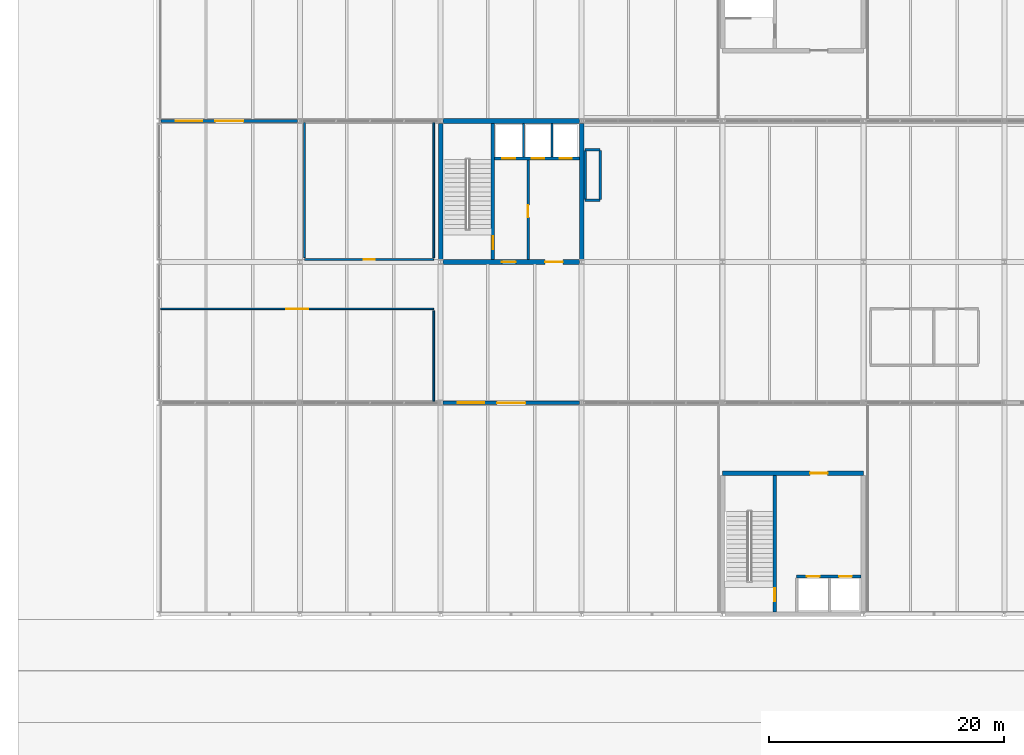
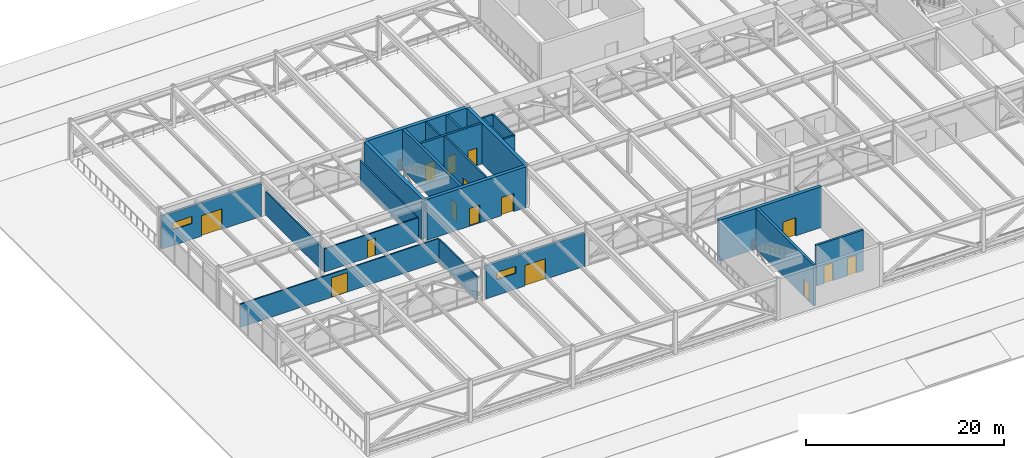
# One storey, part 35 of 42: 23 walls, 15 doors, 2 windows, 17 openings.
"""IFC4 building model written with IfcOpenShell, lengths in metres."""

from ifc_helpers import new_model, si_unit, direction, frame, frame_2d, origin, place, context, subcontext, project, spatial, rectangle, extrude, material, layer, layer_set, type_object, element, fill, save


model = new_model("IFC4")

# Units and contexts
model_context = context("Model", 3, precision=1e-05, world=origin(), true_north=direction((0.0, 1.0)))
body_context = subcontext(model_context, "Body", "Model", "MODEL_VIEW")
ifc_project = project(units=[si_unit("LENGTHUNIT", "METRE"), si_unit("AREAUNIT", "SQUARE_METRE"), si_unit("VOLUMEUNIT", "CUBIC_METRE"), si_unit("PLANEANGLEUNIT", "RADIAN"), si_unit("MASSUNIT", "GRAM", prefix="KILO")], contexts=[model_context])

# Site, building, storey
site_placement = place(None, origin())
site = spatial("IfcSite", under=ifc_project, at=site_placement, CompositionType="ELEMENT")
building_placement = place(site_placement, origin())
building = spatial("IfcBuilding", under=site, at=building_placement, Name="Girod Span Mobility Hub", CompositionType="ELEMENT")
storey_placement = place(building_placement, frame((0.0, 0.0, 32.39990234375)))
storey = spatial("IfcBuildingStorey", under=building, at=storey_placement, Name="L08", CompositionType="ELEMENT", Elevation=32.39990234375)

# Wall, opening, door
ifc_material_1 = material(Name="Concrete C40/50", Category="concrete")
ifc_layer_1 = layer(ifc_material_1, 0.3798828125)
ifc_layer_set_1 = layer_set([ifc_layer_1], Name="Concrete C40/50")
wall_type_1 = type_object("IfcWallType", Name="W-CW-380", PredefinedType="SHEAR", material=ifc_layer_set_1)
wall_1_placement = place(storey_placement, frame((72.0, 39.0, 0.0), z_axis=(0.0, 0.0, 1.0), x_axis=(1.0, 0.0, 0.0)))
wall_1 = element("IfcWall", 1, at=wall_1_placement, inside=storey, type_object=wall_type_1, Name="Core C3 Shear Wall N L08", PredefinedType="SHEAR", context=body_context, shape_type="SweptSolid", body=[
    extrude(rectangle(XDim=12.0, YDim=0.3798828125, at=frame_2d((6.0, 0.0))), origin(), (0.0, 0.0, 1.0), 5.043212890625),
])
opening_1_placement = place(wall_1_placement, frame((7.449951171875, 0.0, 0.0)))
opening_1 = element("IfcOpeningElement", 2, at=opening_1_placement, cuts=wall_1, Name="Opening D-LB-C3-L08", PredefinedType="OPENING", context=body_context, shape_type="SweptSolid", body=[
    extrude(rectangle(XDim=1.5, YDim=2.25, at=frame_2d((0.75, 1.125))), frame((0.0, 0.204833984375, 0.0), z_axis=(0.0, -1.0, 0.0), x_axis=(1.0, 0.0, 0.0)), (0.0, 0.0, 1.0), 0.409912109375),
])
ifc_material_2 = material(Name="Fire-Rated Insulated Hollow Metal Steel", Category="steel")
door_type_1 = type_object("IfcDoorType", Name="DT-FD-03", OperationType="DOUBLE_DOOR_SINGLE_SWING", PredefinedType="DOOR", material=ifc_material_2)
door_1_placement = place(opening_1_placement, origin())
door_1 = element("IfcDoor", 3, at=door_1_placement, inside=storey, type_object=door_type_1, Name="Core C3 Lobby Door L08", OperationType="DOUBLE_DOOR_SINGLE_SWING", OverallHeight=2.25, OverallWidth=1.5, PredefinedType="DOOR", context=body_context, shape_type="SweptSolid", body=[
    extrude(rectangle(XDim=1.5, YDim=2.25, at=frame_2d((0.75, 1.125))), frame((0.0, 0.02490234375, 0.0), z_axis=(0.0, -1.0, 0.0), x_axis=(1.0, 0.0, 0.0)), (0.0, 0.0, 1.0), 0.050048828125),
])
fill(opening_1, door_1)

# Wall, openings, doors
ifc_material_3 = material(Name="Concrete C40/50", Category="concrete")
ifc_layer_2 = layer(ifc_material_3, 0.39990234375)
ifc_layer_set_2 = layer_set([ifc_layer_2], Name="Concrete C40/50")
wall_type_2 = type_object("IfcWallType", Name="W-CW-400", PredefinedType="SHEAR", material=ifc_layer_set_2)
wall_2_placement = place(storey_placement, frame((48.199951171875, 57.0, 0.0), z_axis=(0.0, 0.0, 1.0), x_axis=(1.0, 0.0, 0.0)))
wall_2 = element("IfcWall", 4, at=wall_2_placement, inside=storey, type_object=wall_type_2, Name="Core C1 Shear Wall S L08", PredefinedType="SHEAR", context=body_context, shape_type="SweptSolid", body=[
    extrude(rectangle(XDim=11.60009765625, YDim=0.39990234375, at=frame_2d((5.800048828125, 0.0))), origin(), (0.0, 0.0, 1.0), 5.043212890625),
])
opening_2_placement = place(wall_2_placement, frame((5.0, 0.0, 0.0)))
opening_2 = element("IfcOpeningElement", 5, at=opening_2_placement, cuts=wall_2, Name="Opening D-FL-C1-L08", PredefinedType="OPENING", context=body_context, shape_type="SweptSolid", body=[
    extrude(rectangle(XDim=1.199951171875, YDim=2.199951171875, at=frame_2d((0.60009765625, 1.10009765625))), frame((0.0, 0.21484375, 0.0), z_axis=(0.0, -1.0, 0.0), x_axis=(1.0, 0.0, 0.0)), (0.0, 0.0, 1.0), 0.429931640625),
])
opening_3_placement = place(wall_2_placement, frame((8.699951171875, 0.0, 0.0)))
opening_3 = element("IfcOpeningElement", 6, at=opening_3_placement, cuts=wall_2, Name="Opening D-LB-C1-L08", PredefinedType="OPENING", context=body_context, shape_type="SweptSolid", body=[
    extrude(rectangle(XDim=1.5, YDim=2.25, at=frame_2d((0.75, 1.125))), frame((0.0, 0.21484375, 0.0), z_axis=(0.0, -1.0, 0.0), x_axis=(1.0, 0.0, 0.0)), (0.0, 0.0, 1.0), 0.429931640625),
])
door_2_placement = place(opening_3_placement, origin())
door_2 = element("IfcDoor", 7, at=door_2_placement, inside=storey, type_object=door_type_1, Name="Lift Lobby Entry Door C1 L08", OperationType="DOUBLE_DOOR_SINGLE_SWING", OverallHeight=2.25, OverallWidth=1.5, PredefinedType="DOOR", context=body_context, shape_type="SweptSolid", body=[
    extrude(rectangle(XDim=1.5, YDim=2.25, at=frame_2d((0.75, 1.125))), frame((0.0, 0.02490234375, 0.0), z_axis=(0.0, -1.0, 0.0), x_axis=(1.0, 0.0, 0.0)), (0.0, 0.0, 1.0), 0.050048828125),
])
fill(opening_3, door_2)
ifc_material_4 = material(Name="Fire-Rated Insulated Hollow Metal Steel", Category="steel")
door_type_2 = type_object("IfcDoorType", Name="DT-FD-05", OperationType="NOTDEFINED", PredefinedType="DOOR", material=ifc_material_4)
door_3_placement = place(opening_2_placement, origin())
door_3 = element("IfcDoor", 8, at=door_3_placement, inside=storey, type_object=door_type_2, Name="Firefighting Lobby Entry Door C1 L08", OperationType="SINGLE_SWING_RIGHT", OverallHeight=2.199951171875, OverallWidth=1.199951171875, PredefinedType="DOOR", context=body_context, shape_type="SweptSolid", body=[
    extrude(rectangle(XDim=1.199951171875, YDim=2.199951171875, at=frame_2d((0.60009765625, 1.10009765625))), frame((0.0, 0.02490234375, 0.0), z_axis=(0.0, -1.0, 0.0), x_axis=(1.0, 0.0, 0.0)), (0.0, 0.0, 1.0), 0.050048828125),
])
fill(opening_2, door_3)

# Walls
wall_3_placement = place(storey_placement, frame((48.199951171875, 69.0, 0.0), z_axis=(0.0, 0.0, 1.0), x_axis=(1.0, 0.0, 0.0)))
element("IfcWall", 9, at=wall_3_placement, inside=storey, type_object=wall_type_2, Name="Core C1 Shear Wall N L08", PredefinedType="SHEAR", context=body_context, shape_type="SweptSolid", body=[
    extrude(rectangle(XDim=11.60009765625, YDim=0.39990234375, at=frame_2d((5.800048828125, 0.0))), origin(), (0.0, 0.0, 1.0), 5.043212890625),
])
for number, where, z_axis, x_axis, name in (
    (10, (48.0, 57.205078125, 0.0), (0.0, 0.0, 1.0), (0.0, 1.0, 0.0), "Core C1 Shear Wall W L08"),
    (11, (60.0, 57.205078125, 0.0), (0.0, 0.0, 1.0), (0.0, 1.0, 0.0), "Core C1 Shear Wall E L08"),
):
    element("IfcWall", number, at=place(storey_placement, frame(where, z_axis=z_axis, x_axis=x_axis)), inside=storey, type_object=wall_type_2, Name=name, PredefinedType="SHEAR", context=body_context, shape_type="SweptSolid", body=[
        extrude(rectangle(XDim=11.58984375, YDim=0.39990234375, at=frame_2d((5.794921875, 0.0))), origin(), (0.0, 0.0, 1.0), 5.043212890625),
    ])

# Wall, openings, door, window
ifc_material_5 = material(Name="Precast Architectural Concrete C40/50", Category="concrete")
ifc_layer_3 = layer(ifc_material_5, 0.2900390625)
ifc_layer_set_3 = layer_set([ifc_layer_3], Name="Precast Architectural Concrete C40/50")
wall_type_3 = type_object("IfcWallType", Name="W-EXT-290", PredefinedType="SOLIDWALL", material=ifc_layer_set_3)
wall_4_placement = place(storey_placement, frame((48.200927734375, 45.0, 0.0), z_axis=(0.0, 0.0, 1.0), x_axis=(1.0, 0.0, 0.0)))
wall_4 = element("IfcWall", 12, at=wall_4_placement, inside=storey, type_object=wall_type_3, Name="L08 Sports Court Portal Wall S-5", PredefinedType="SOLIDWALL", context=body_context, shape_type="SweptSolid", body=[
    extrude(rectangle(XDim=11.59814453125, YDim=0.2900390625, at=frame_2d((5.799072265625, 0.0))), origin(), (0.0, 0.0, 1.0), 4.10009765625),
])
opening_4_placement = place(wall_4_placement, frame((4.59912109375, 0.0, 0.0)))
opening_4 = element("IfcOpeningElement", 13, at=opening_4_placement, cuts=wall_4, Name="Opening D-L08-S4", PredefinedType="OPENING", context=body_context, shape_type="SweptSolid", body=[
    extrude(rectangle(XDim=2.39990234375, YDim=2.5400390625, at=frame_2d((1.199951171875, 1.27001953125))), frame((0.0, 0.159912109375, 0.0), z_axis=(0.0, -1.0, 0.0), x_axis=(1.0, 0.0, 0.0)), (0.0, 0.0, 1.0), 0.320068359375),
])
opening_5_placement = place(wall_4_placement, frame((1.25, 0.0, 1.949951171875)))
opening_5 = element("IfcOpeningElement", 14, at=opening_5_placement, cuts=wall_4, Name="Opening W-L08-S4", PredefinedType="OPENING", context=body_context, shape_type="SweptSolid", body=[
    extrude(rectangle(XDim=2.25, YDim=0.8798828125, at=frame_2d((1.125, 0.43994140625))), frame((0.0, 0.159912109375, 0.0), z_axis=(0.0, -1.0, 0.0), x_axis=(1.0, 0.0, 0.0)), (0.0, 0.0, 1.0), 0.320068359375),
])
ifc_material_6 = material(Name="Thermally Broken Anodised Aluminium", Category="aluminium")
door_type_3 = type_object("IfcDoorType", Name="DR-EXT-05", OperationType="DOUBLE_DOOR_SINGLE_SWING", PredefinedType="DOOR", material=ifc_material_6)
door_4_placement = place(opening_4_placement, origin())
door_4 = element("IfcDoor", 15, at=door_4_placement, inside=storey, type_object=door_type_3, Name="L08 S Rooftop Sports Court Access Door 4", OperationType="DOUBLE_DOOR_SINGLE_SWING", OverallHeight=2.5400390625, OverallWidth=2.39990234375, PredefinedType="DOOR", context=body_context, shape_type="SweptSolid", body=[
    extrude(rectangle(XDim=2.39990234375, YDim=2.5400390625, at=frame_2d((1.199951171875, 1.27001953125))), frame((0.0, 0.02490234375, 0.0), z_axis=(0.0, -1.0, 0.0), x_axis=(1.0, 0.0, 0.0)), (0.0, 0.0, 1.0), 0.050048828125),
])
fill(opening_4, door_4)
ifc_material_7 = material(Name="Double Low-E Insulated Glazing", Category="glass")
window_type = type_object("IfcWindowType", Name="WN-45", PartitioningType="DOUBLE_PANEL_VERTICAL", PredefinedType="USERDEFINED", material=ifc_material_7)
window_1_placement = place(opening_5_placement, origin())
window_1 = element("IfcWindow", 16, at=window_1_placement, inside=storey, type_object=window_type, Name="L08 Sports Clubroom Transom Light", ObjectType="TRANSOM LIGHT", OverallHeight=0.8798828125, OverallWidth=2.25, PartitioningType="DOUBLE_PANEL_VERTICAL", PredefinedType="USERDEFINED", context=body_context, shape_type="SweptSolid", body=[
    extrude(rectangle(XDim=2.25, YDim=0.8798828125, at=frame_2d((1.125, 0.43994140625))), frame((0.0, 0.030029296875, 0.0), z_axis=(0.0, -1.0, 0.0), x_axis=(1.0, 0.0, 0.0)), (0.0, 0.0, 1.0), 0.06005859375),
])
fill(opening_5, window_1)

wall_5_placement = place(storey_placement, frame((24.197509765625, 69.0, 0.0), z_axis=(0.0, 0.0, 1.0), x_axis=(1.0, 0.0, 0.0)))
wall_5 = element("IfcWall", 17, at=wall_5_placement, inside=storey, type_object=wall_type_3, Name="L08 Sports Court Portal Wall N-3", PredefinedType="SOLIDWALL", context=body_context, shape_type="SweptSolid", body=[
    extrude(rectangle(XDim=11.60498046875, YDim=0.2900390625, at=frame_2d((5.802490234375, 0.0))), origin(), (0.0, 0.0, 1.0), 4.10009765625),
])
opening_6_placement = place(wall_5_placement, frame((4.60302734375, 0.0, 0.0)))
opening_6 = element("IfcOpeningElement", 18, at=opening_6_placement, cuts=wall_5, Name="Opening D-L08-N2", PredefinedType="OPENING", context=body_context, shape_type="SweptSolid", body=[
    extrude(rectangle(XDim=2.39990234375, YDim=2.5400390625, at=frame_2d((1.199951171875, 1.27001953125))), frame((0.0, 0.159912109375, 0.0), z_axis=(0.0, -1.0, 0.0), x_axis=(1.0, 0.0, 0.0)), (0.0, 0.0, 1.0), 0.320068359375),
])
opening_7_placement = place(wall_5_placement, frame((1.25, 0.0, 1.949951171875)))
opening_7 = element("IfcOpeningElement", 19, at=opening_7_placement, cuts=wall_5, Name="Opening W-L08-N2", PredefinedType="OPENING", context=body_context, shape_type="SweptSolid", body=[
    extrude(rectangle(XDim=2.25, YDim=0.8798828125, at=frame_2d((1.125, 0.43994140625))), frame((0.0, 0.159912109375, 0.0), z_axis=(0.0, -1.0, 0.0), x_axis=(1.0, 0.0, 0.0)), (0.0, 0.0, 1.0), 0.320068359375),
])
door_5_placement = place(opening_6_placement, origin())
door_5 = element("IfcDoor", 20, at=door_5_placement, inside=storey, type_object=door_type_3, Name="L08 N Rooftop Sports Court Access Door 2", OperationType="DOUBLE_DOOR_SINGLE_SWING", OverallHeight=2.5400390625, OverallWidth=2.39990234375, PredefinedType="DOOR", context=body_context, shape_type="SweptSolid", body=[
    extrude(rectangle(XDim=2.39990234375, YDim=2.5400390625, at=frame_2d((1.199951171875, 1.27001953125))), frame((0.0, 0.02490234375, 0.0), z_axis=(0.0, -1.0, 0.0), x_axis=(1.0, 0.0, 0.0)), (0.0, 0.0, 1.0), 0.050048828125),
])
fill(opening_6, door_5)
window_2_placement = place(opening_7_placement, origin())
window_2 = element("IfcWindow", 21, at=window_2_placement, inside=storey, type_object=window_type, Name="L08 Sports Clubroom Transom Light", ObjectType="TRANSOM LIGHT", OverallHeight=0.8798828125, OverallWidth=2.25, PartitioningType="DOUBLE_PANEL_VERTICAL", PredefinedType="USERDEFINED", context=body_context, shape_type="SweptSolid", body=[
    extrude(rectangle(XDim=2.25, YDim=0.8798828125, at=frame_2d((1.125, 0.43994140625))), frame((0.0, 0.030029296875, 0.0), z_axis=(0.0, -1.0, 0.0), x_axis=(1.0, 0.0, 0.0)), (0.0, 0.0, 1.0), 0.06005859375),
])
fill(opening_7, window_2)

# Wall, opening, door
ifc_material_8 = material(Name="Concrete C40/50", Category="concrete")
ifc_layer_4 = layer(ifc_material_8, 0.18994140625)
ifc_layer_set_4 = layer_set([ifc_layer_4], Name="Concrete C40/50")
wall_type_4 = type_object("IfcWallType", Name="W-FL-190", PredefinedType="SOLIDWALL", material=ifc_layer_set_4)
wall_6_placement = place(storey_placement, frame((55.449951171875, 57.199951171875, 0.0), z_axis=(0.0, 0.0, 1.0), x_axis=(0.0, 1.0, 0.0)))
wall_6 = element("IfcWall", 22, at=wall_6_placement, inside=storey, type_object=wall_type_4, Name="Core C1 Firefighting Lobby Wall L08", PredefinedType="SOLIDWALL", context=body_context, shape_type="SweptSolid", body=[
    extrude(rectangle(XDim=8.47998046875, YDim=0.18994140625, at=frame_2d((4.239990234375, 0.0))), origin(), (0.0, 0.0, 1.0), 5.033203125),
])
opening_8_placement = place(wall_6_placement, frame((3.60009765625, 0.0, 0.0)))
opening_8 = element("IfcOpeningElement", 23, at=opening_8_placement, cuts=wall_6, Name="Opening D-FLX-C1-L08", PredefinedType="OPENING", context=body_context, shape_type="SweptSolid", body=[
    extrude(rectangle(XDim=1.0400390625, YDim=2.179931640625, at=frame_2d((0.52001953125, 1.08984375))), frame((0.0, 0.10986328125, 0.0), z_axis=(0.0, -1.0, 0.0), x_axis=(1.0, 0.0, 0.0)), (0.0, 0.0, 1.0), 0.219970703125),
])
ifc_material_9 = material(Name="Fire-Rated Insulated Hollow Metal Steel", Category="steel")
door_type_4 = type_object("IfcDoorType", Name="DT-FD-02", OperationType="NOTDEFINED", PredefinedType="DOOR", material=ifc_material_9)
door_6_placement = place(opening_8_placement, origin())
door_6 = element("IfcDoor", 24, at=door_6_placement, inside=storey, type_object=door_type_4, Name="Firefighting Lobby Interconnect Door C1 L08", OperationType="SINGLE_SWING_RIGHT", OverallHeight=2.179931640625, OverallWidth=1.0400390625, PredefinedType="DOOR", context=body_context, shape_type="SweptSolid", body=[
    extrude(rectangle(XDim=1.0400390625, YDim=2.179931640625, at=frame_2d((0.52001953125, 1.08984375))), frame((0.0, 0.02490234375, 0.0), z_axis=(0.0, -1.0, 0.0), x_axis=(1.0, 0.0, 0.0)), (0.0, 0.0, 1.0), 0.050048828125),
])
fill(opening_8, door_6)

ifc_material_10 = material(Name="Fire-Rated Gypsum Board on Metal Studs", Category="gypsum")
ifc_layer_5 = layer(ifc_material_10, 0.155029296875)
ifc_layer_set_5 = layer_set([ifc_layer_5], Name="Fire-Rated Gypsum Board on Metal Studs")
wall_type_5 = type_object("IfcWallType", Name="W-PLB-155", PredefinedType="PLUMBINGWALL", material=ifc_layer_set_5)
wall_7_placement = place(storey_placement, frame((36.39990234375, 57.199951171875, 0.0), z_axis=(0.0, 0.0, 1.0), x_axis=(1.0, 0.0, 0.0)))
wall_7 = element("IfcWall", 25, at=wall_7_placement, inside=storey, type_object=wall_type_5, Name="Changing Room West Partition S", PredefinedType="PLUMBINGWALL", context=body_context, shape_type="SweptSolid", body=[
    extrude(rectangle(XDim=11.0, YDim=0.155029296875, at=frame_2d((5.5, 0.0))), origin(), (0.0, 0.0, 1.0), 2.880126953125),
])
opening_9_placement = place(wall_7_placement, frame((5.02490234375, 0.0, 0.0)))
opening_9 = element("IfcOpeningElement", 26, at=opening_9_placement, cuts=wall_7, Name="Opening D-L08-LOCK-W", PredefinedType="OPENING", context=body_context, shape_type="SweptSolid", body=[
    extrude(rectangle(XDim=0.949951171875, YDim=2.1298828125, at=frame_2d((0.47509765625, 1.06494140625))), frame((0.0, 0.092529296875, 0.0), z_axis=(0.0, -1.0, 0.0), x_axis=(1.0, 0.0, 0.0)), (0.0, 0.0, 1.0), 0.18505859375),
])
ifc_material_11 = material(Name="Solid-Core Architectural Timber", Category="wood")
door_type_5 = type_object("IfcDoorType", Name="DT-NR-02", OperationType="NOTDEFINED", PredefinedType="DOOR", material=ifc_material_11)
door_7_placement = place(opening_9_placement, origin())
door_7 = element("IfcDoor", 27, at=door_7_placement, inside=storey, type_object=door_type_5, Name="Changing Room West Door", OperationType="SINGLE_SWING_RIGHT", OverallHeight=2.1298828125, OverallWidth=0.949951171875, PredefinedType="DOOR", context=body_context, shape_type="SweptSolid", body=[
    extrude(rectangle(XDim=0.949951171875, YDim=2.1298828125, at=frame_2d((0.47509765625, 1.06494140625))), frame((0.0, 0.02490234375, 0.0), z_axis=(0.0, -1.0, 0.0), x_axis=(1.0, 0.0, 0.0)), (0.0, 0.0, 1.0), 0.050048828125),
])
fill(opening_9, door_7)

# Walls
for number, where, z_axis, x_axis, name in (
    (28, (36.39990234375, 57.360107421875, 0.0), (0.0, 0.0, 1.0), (0.0, 1.0, 0.0), "Changing Room West Partition W"),
    (29, (47.39990234375, 57.360107421875, 0.0), (0.0, 0.0, 1.0), (0.0, 1.0, 0.0), "Changing Room West Partition E"),
):
    element("IfcWall", number, at=place(storey_placement, frame(where, z_axis=z_axis, x_axis=x_axis)), inside=storey, type_object=wall_type_5, Name=name, PredefinedType="PLUMBINGWALL", context=body_context, shape_type="SweptSolid", body=[
        extrude(rectangle(XDim=11.5, YDim=0.155029296875, at=frame_2d((5.75, 0.0))), origin(), (0.0, 0.0, 1.0), 2.880126953125),
    ])

# Wall, opening, door
ifc_material_12 = material(Name="Fire-Rated Gypsum Board on Metal Studs", Category="gypsum")
ifc_layer_6 = layer(ifc_material_12, 0.139892578125)
ifc_layer_set_6 = layer_set([ifc_layer_6], Name="Fire-Rated Gypsum Board on Metal Studs")
wall_type_6 = type_object("IfcWallType", Name="W-PT-140", PredefinedType="PARTITIONING", material=ifc_layer_set_6)
wall_8_placement = place(storey_placement, frame((24.139892578125, 53.0, 0.0), z_axis=(0.0, 0.0, 1.0), x_axis=(1.0, 0.0, 0.0)))
wall_8 = element("IfcWall", 30, at=wall_8_placement, inside=storey, type_object=wall_type_6, Name="Sports Clubroom Partition N", PredefinedType="PARTITIONING", context=body_context, shape_type="SweptSolid", body=[
    extrude(rectangle(XDim=23.260009765625, YDim=0.139892578125, at=frame_2d((11.6298828125, 0.0))), origin(), (0.0, 0.0, 1.0), 2.880126953125),
])
opening_10_placement = place(wall_8_placement, frame((10.699951171875, 0.0, 0.0)))
opening_10 = element("IfcOpeningElement", 31, at=opening_10_placement, cuts=wall_8, Name="Opening D-L08-CLUB", PredefinedType="OPENING", context=body_context, shape_type="SweptSolid", body=[
    extrude(rectangle(XDim=1.860107421875, YDim=2.409912109375, at=frame_2d((0.93017578125, 1.205078125))), frame((0.0, 0.0849609375, 0.0), z_axis=(0.0, -1.0, 0.0), x_axis=(1.0, 0.0, 0.0)), (0.0, 0.0, 1.0), 0.169921875),
])
ifc_material_13 = material(Name="Solid-Core Architectural Timber", Category="wood")
door_type_6 = type_object("IfcDoorType", Name="DT-NR-19", OperationType="DOUBLE_DOOR_SINGLE_SWING", PredefinedType="DOOR", material=ifc_material_13)
door_8_placement = place(opening_10_placement, origin())
door_8 = element("IfcDoor", 32, at=door_8_placement, inside=storey, type_object=door_type_6, Name="Sports Clubroom Door", OperationType="DOUBLE_DOOR_SINGLE_SWING", OverallHeight=2.409912109375, OverallWidth=1.860107421875, PredefinedType="DOOR", context=body_context, shape_type="SweptSolid", body=[
    extrude(rectangle(XDim=1.860107421875, YDim=2.409912109375, at=frame_2d((0.93017578125, 1.205078125))), frame((0.0, 0.02490234375, 0.0), z_axis=(0.0, -1.0, 0.0), x_axis=(1.0, 0.0, 0.0)), (0.0, 0.0, 1.0), 0.050048828125),
])
fill(opening_10, door_8)

# Walls
wall_9_placement = place(storey_placement, frame((47.39990234375, 45.139892578125, 0.0), z_axis=(0.0, 0.0, 1.0), x_axis=(0.0, 1.0, 0.0)))
element("IfcWall", 33, at=wall_9_placement, inside=storey, type_object=wall_type_6, Name="Sports Clubroom Partition E", PredefinedType="PARTITIONING", context=body_context, shape_type="SweptSolid", body=[
    extrude(rectangle(XDim=7.7001953125, YDim=0.139892578125, at=frame_2d((3.85009765625, 0.0))), origin(), (0.0, 0.0, 1.0), 2.880126953125),
])
ifc_material_14 = material(Name="Concrete C40/50", Category="concrete")
ifc_layer_7 = layer(ifc_material_14, 0.199951171875)
ifc_layer_set_7 = layer_set([ifc_layer_7], Name="Concrete C40/50")
wall_type_7 = type_object("IfcWallType", Name="W-SH-200", PredefinedType="SOLIDWALL", material=ifc_layer_set_7)
for number, where, z_axis, x_axis, name in (
    (34, (60.297119140625, 62.25, 0.0), (0.0, 0.0, 1.0), (1.0, 0.0, 0.0), "Sanitary Wet Riser Shaft Wall S L08"),
    (35, (60.297119140625, 66.550048828125, 0.0), (0.0, 0.0, 1.0), (1.0, 0.0, 0.0), "Sanitary Wet Riser Shaft Wall N L08"),
):
    element("IfcWall", number, at=place(storey_placement, frame(where, z_axis=z_axis, x_axis=x_axis)), inside=storey, type_object=wall_type_7, Name=name, PredefinedType="SOLIDWALL", context=body_context, shape_type="SweptSolid", body=[
        extrude(rectangle(XDim=1.282958984375, YDim=0.199951171875, at=frame_2d((0.6416015625, 0.0))), origin(), (0.0, 0.0, 1.0), 5.043212890625),
    ])
for number, where, z_axis, x_axis, name in (
    (36, (60.297119140625, 62.330078125, 0.0), (0.0, 0.0, 1.0), (0.0, 1.0, 0.0), "Sanitary Wet Riser Shaft Wall W L08"),
    (37, (61.580078125, 62.330078125, 0.0), (0.0, 0.0, 1.0), (0.0, 1.0, 0.0), "Sanitary Wet Riser Shaft Wall E L08"),
):
    element("IfcWall", number, at=place(storey_placement, frame(where, z_axis=z_axis, x_axis=x_axis)), inside=storey, type_object=wall_type_7, Name=name, PredefinedType="SOLIDWALL", context=body_context, shape_type="SweptSolid", body=[
        extrude(rectangle(XDim=4.139892578125, YDim=0.199951171875, at=frame_2d((2.06982421875, 0.0))), origin(), (0.0, 0.0, 1.0), 5.043212890625),
    ])
for number, where, z_axis, x_axis, name in (
    (38, (55.050048828125, 65.919921875, 0.0), (0.0, 0.0, 1.0), (0.0, 1.0, 0.0), "Core C1 Shaft Divider 1 L08"),
    (39, (57.47998046875, 65.919921875, 0.0), (0.0, 0.0, 1.0), (0.0, 1.0, 0.0), "Core C1 Shaft Divider 2 L08"),
):
    element("IfcWall", number, at=place(storey_placement, frame(where, z_axis=z_axis, x_axis=x_axis)), inside=storey, type_object=wall_type_7, Name=name, PredefinedType="SOLIDWALL", context=body_context, shape_type="SweptSolid", body=[
        extrude(rectangle(XDim=2.880126953125, YDim=0.199951171875, at=frame_2d((1.43994140625, 0.0))), origin(), (0.0, 0.0, 1.0), 5.033203125),
    ])

# Wall, openings, doors
ifc_material_15 = material(Name="Concrete C40/50", Category="concrete")
ifc_layer_8 = layer(ifc_material_15, 0.25)
ifc_layer_set_8 = layer_set([ifc_layer_8], Name="Concrete C40/50")
wall_type_8 = type_object("IfcWallType", Name="W-SH-250", PredefinedType="SOLIDWALL", material=ifc_layer_set_8)
wall_10_placement = place(storey_placement, frame((52.596923828125, 65.800048828125, 0.0), z_axis=(0.0, 0.0, 1.0), x_axis=(1.0, 0.0, 0.0)))
wall_10 = element("IfcWall", 40, at=wall_10_placement, inside=storey, type_object=wall_type_8, Name="Core C1 Hoistway Front Wall L08", PredefinedType="SOLIDWALL", context=body_context, shape_type="SweptSolid", body=[
    extrude(rectangle(XDim=7.2060546875, YDim=0.25, at=frame_2d((3.60302734375, 0.0))), origin(), (0.0, 0.0, 1.0), 5.043212890625),
])
opening_11_placement = place(wall_10_placement, frame((0.653076171875, 0.0, 0.0)))
opening_11 = element("IfcOpeningElement", 41, at=opening_11_placement, cuts=wall_10, Name="Opening LD-FL-1-L08", PredefinedType="OPENING", context=body_context, shape_type="SweptSolid", body=[
    extrude(rectangle(XDim=1.10009765625, YDim=2.239990234375, at=frame_2d((0.550048828125, 1.1201171875))), frame((0.0, 0.139892578125, 0.0), z_axis=(0.0, -1.0, 0.0), x_axis=(1.0, 0.0, 0.0)), (0.0, 0.0, 1.0), 0.280029296875),
])
opening_12_placement = place(wall_10_placement, frame((3.153076171875, 0.0, 0.0)))
opening_12 = element("IfcOpeningElement", 42, at=opening_12_placement, cuts=wall_10, Name="Opening LD-LP-1-L08", PredefinedType="OPENING", context=body_context, shape_type="SweptSolid", body=[
    extrude(rectangle(XDim=1.050048828125, YDim=2.199951171875, at=frame_2d((0.52490234375, 1.10009765625))), frame((0.0, 0.139892578125, 0.0), z_axis=(0.0, -1.0, 0.0), x_axis=(1.0, 0.0, 0.0)), (0.0, 0.0, 1.0), 0.280029296875),
])
opening_13_placement = place(wall_10_placement, frame((5.528076171875, 0.0, 0.0)))
opening_13 = element("IfcOpeningElement", 43, at=opening_13_placement, cuts=wall_10, Name="Opening LD-LP-2-L08", PredefinedType="OPENING", context=body_context, shape_type="SweptSolid", body=[
    extrude(rectangle(XDim=1.050048828125, YDim=2.199951171875, at=frame_2d((0.52490234375, 1.10009765625))), frame((0.0, 0.139892578125, 0.0), z_axis=(0.0, -1.0, 0.0), x_axis=(1.0, 0.0, 0.0)), (0.0, 0.0, 1.0), 0.280029296875),
])
ifc_material_16 = material(Name="Brushed Stainless Steel Grade 304", Category="steel")
door_type_7 = type_object("IfcDoorType", Name="LD-FL-110", OperationType="SLIDING_TO_LEFT", PredefinedType="USERDEFINED", material=ifc_material_16)
door_9_placement = place(opening_11_placement, origin())
door_9 = element("IfcDoor", 44, at=door_9_placement, inside=storey, type_object=door_type_7, Name="Lift FL-1 Sliding Landing Door L08", ObjectType="LANDING DOOR", OperationType="SLIDING_TO_LEFT", OverallHeight=2.239990234375, OverallWidth=1.10009765625, PredefinedType="USERDEFINED", context=body_context, shape_type="SweptSolid", body=[
    extrude(rectangle(XDim=1.10009765625, YDim=2.239990234375, at=frame_2d((0.550048828125, 1.1201171875))), frame((0.0, 0.02490234375, 0.0), z_axis=(0.0, -1.0, 0.0), x_axis=(1.0, 0.0, 0.0)), (0.0, 0.0, 1.0), 0.050048828125),
])
fill(opening_11, door_9)
ifc_material_17 = material(Name="Brushed Stainless Steel Grade 304", Category="steel")
door_type_8 = type_object("IfcDoorType", Name="LD-LP-105", OperationType="SLIDING_TO_LEFT", PredefinedType="USERDEFINED", material=ifc_material_17)
door_10_placement = place(opening_12_placement, origin())
door_10 = element("IfcDoor", 45, at=door_10_placement, inside=storey, type_object=door_type_8, Name="Lift LP-1 Sliding Landing Door L08", ObjectType="LANDING DOOR", OperationType="SLIDING_TO_LEFT", OverallHeight=2.199951171875, OverallWidth=1.050048828125, PredefinedType="USERDEFINED", context=body_context, shape_type="SweptSolid", body=[
    extrude(rectangle(XDim=1.050048828125, YDim=2.199951171875, at=frame_2d((0.52490234375, 1.10009765625))), frame((0.0, 0.02490234375, 0.0), z_axis=(0.0, -1.0, 0.0), x_axis=(1.0, 0.0, 0.0)), (0.0, 0.0, 1.0), 0.050048828125),
])
fill(opening_12, door_10)
door_11_placement = place(opening_13_placement, origin())
door_11 = element("IfcDoor", 46, at=door_11_placement, inside=storey, type_object=door_type_8, Name="Lift LP-2 Sliding Landing Door L08", ObjectType="LANDING DOOR", OperationType="SLIDING_TO_LEFT", OverallHeight=2.199951171875, OverallWidth=1.050048828125, PredefinedType="USERDEFINED", context=body_context, shape_type="SweptSolid", body=[
    extrude(rectangle(XDim=1.050048828125, YDim=2.199951171875, at=frame_2d((0.52490234375, 1.10009765625))), frame((0.0, 0.02490234375, 0.0), z_axis=(0.0, -1.0, 0.0), x_axis=(1.0, 0.0, 0.0)), (0.0, 0.0, 1.0), 0.050048828125),
])
fill(opening_13, door_11)

wall_11_placement = place(storey_placement, frame((78.320068359375, 30.199951171875, 0.0), z_axis=(0.0, 0.0, 1.0), x_axis=(1.0, 0.0, 0.0)))
wall_11 = element("IfcWall", 47, at=wall_11_placement, inside=storey, type_object=wall_type_8, Name="Core C3 Hoistway Front Wall L08", PredefinedType="SOLIDWALL", context=body_context, shape_type="SweptSolid", body=[
    extrude(rectangle(XDim=5.492919921875, YDim=0.25, at=frame_2d((2.74658203125, 0.0))), origin(), (0.0, 0.0, 1.0), 5.043212890625),
])
opening_14_placement = place(wall_11_placement, frame((0.860107421875, 0.0, 0.0)))
opening_14 = element("IfcOpeningElement", 48, at=opening_14_placement, cuts=wall_11, Name="Opening LD-LP-5-L08", PredefinedType="OPENING", context=body_context, shape_type="SweptSolid", body=[
    extrude(rectangle(XDim=1.080078125, YDim=2.219970703125, at=frame_2d((0.5400390625, 1.10986328125))), frame((0.0, 0.139892578125, 0.0), z_axis=(0.0, -1.0, 0.0), x_axis=(1.0, 0.0, 0.0)), (0.0, 0.0, 1.0), 0.280029296875),
])
opening_15_placement = place(wall_11_placement, frame((3.610107421875, 0.0, 0.0)))
opening_15 = element("IfcOpeningElement", 49, at=opening_15_placement, cuts=wall_11, Name="Opening LD-LP-6-L08", PredefinedType="OPENING", context=body_context, shape_type="SweptSolid", body=[
    extrude(rectangle(XDim=1.080078125, YDim=2.219970703125, at=frame_2d((0.5400390625, 1.10986328125))), frame((0.0, 0.139892578125, 0.0), z_axis=(0.0, -1.0, 0.0), x_axis=(1.0, 0.0, 0.0)), (0.0, 0.0, 1.0), 0.280029296875),
])
ifc_material_18 = material(Name="Brushed Stainless Steel Grade 304", Category="steel")
door_type_9 = type_object("IfcDoorType", Name="LD-LP-108", OperationType="SLIDING_TO_LEFT", PredefinedType="USERDEFINED", material=ifc_material_18)
door_12_placement = place(opening_14_placement, origin())
door_12 = element("IfcDoor", 50, at=door_12_placement, inside=storey, type_object=door_type_9, Name="Lift LP-5 Sliding Landing Door L08", ObjectType="LANDING DOOR", OperationType="SLIDING_TO_LEFT", OverallHeight=2.219970703125, OverallWidth=1.080078125, PredefinedType="USERDEFINED", context=body_context, shape_type="SweptSolid", body=[
    extrude(rectangle(XDim=1.080078125, YDim=2.219970703125, at=frame_2d((0.5400390625, 1.10986328125))), frame((0.0, 0.02490234375, 0.0), z_axis=(0.0, -1.0, 0.0), x_axis=(1.0, 0.0, 0.0)), (0.0, 0.0, 1.0), 0.050048828125),
])
fill(opening_14, door_12)
door_13_placement = place(opening_15_placement, origin())
door_13 = element("IfcDoor", 51, at=door_13_placement, inside=storey, type_object=door_type_9, Name="Lift LP-6 Sliding Landing Door L08", ObjectType="LANDING DOOR", OperationType="SLIDING_TO_LEFT", OverallHeight=2.219970703125, OverallWidth=1.080078125, PredefinedType="USERDEFINED", context=body_context, shape_type="SweptSolid", body=[
    extrude(rectangle(XDim=1.080078125, YDim=2.219970703125, at=frame_2d((0.5400390625, 1.10986328125))), frame((0.0, 0.02490234375, 0.0), z_axis=(0.0, -1.0, 0.0), x_axis=(1.0, 0.0, 0.0)), (0.0, 0.0, 1.0), 0.050048828125),
])
fill(opening_15, door_13)

# Wall, opening, door
ifc_material_19 = material(Name="Concrete C40/50", Category="concrete")
ifc_layer_9 = layer(ifc_material_19, 0.300048828125)
ifc_layer_set_9 = layer_set([ifc_layer_9], Name="Concrete C40/50")
wall_type_9 = type_object("IfcWallType", Name="W-SH-300", PredefinedType="SHEAR", material=ifc_layer_set_9)
wall_12_placement = place(storey_placement, frame((52.449951171875, 57.197021484375, 0.0), z_axis=(0.0, 0.0, 1.0), x_axis=(0.0, 1.0, 0.0)))
wall_12 = element("IfcWall", 52, at=wall_12_placement, inside=storey, type_object=wall_type_9, Name="Core C1 Stairwell Spine Wall L08", PredefinedType="SHEAR", context=body_context, shape_type="SweptSolid", body=[
    extrude(rectangle(XDim=11.60595703125, YDim=0.300048828125, at=frame_2d((5.802978515625, 0.0))), origin(), (0.0, 0.0, 1.0), 5.043212890625),
])
opening_16_placement = place(wall_12_placement, frame((0.89990234375, 0.0, 0.0)))
opening_16 = element("IfcOpeningElement", 53, at=opening_16_placement, cuts=wall_12, Name="Opening D-ST-1-L08", PredefinedType="OPENING", context=body_context, shape_type="SweptSolid", body=[
    extrude(rectangle(XDim=1.10009765625, YDim=2.199951171875, at=frame_2d((0.550048828125, 1.10009765625))), frame((0.0, 0.1650390625, 0.0), z_axis=(0.0, -1.0, 0.0), x_axis=(1.0, 0.0, 0.0)), (0.0, 0.0, 1.0), 0.330078125),
])
ifc_material_20 = material(Name="Fire-Rated Insulated Hollow Metal Steel", Category="steel")
door_type_10 = type_object("IfcDoorType", Name="DT-FD-01", OperationType="NOTDEFINED", PredefinedType="DOOR", material=ifc_material_20)
door_14_placement = place(opening_16_placement, origin())
door_14 = element("IfcDoor", 54, at=door_14_placement, inside=storey, type_object=door_type_10, Name="Stair ST-1 Fire Door L08", OperationType="SINGLE_SWING_LEFT", OverallHeight=2.199951171875, OverallWidth=1.10009765625, PredefinedType="DOOR", context=body_context, shape_type="SweptSolid", body=[
    extrude(rectangle(XDim=1.10009765625, YDim=2.199951171875, at=frame_2d((0.550048828125, 1.10009765625))), frame((0.0, 0.02490234375, 0.0), z_axis=(0.0, -1.0, 0.0), x_axis=(1.0, 0.0, 0.0)), (0.0, 0.0, 1.0), 0.050048828125),
])
fill(opening_16, door_14)

wall_13_placement = place(storey_placement, frame((76.449951171875, 27.18701171875, 0.0), z_axis=(0.0, 0.0, 1.0), x_axis=(0.0, 1.0, 0.0)))
wall_13 = element("IfcWall", 55, at=wall_13_placement, inside=storey, type_object=wall_type_9, Name="Core C3 Stairwell Spine Wall L08", PredefinedType="SHEAR", context=body_context, shape_type="SweptSolid", body=[
    extrude(rectangle(XDim=11.6259765625, YDim=0.300048828125, at=frame_2d((5.81298828125, 0.0))), origin(), (0.0, 0.0, 1.0), 5.043212890625),
])
opening_17_placement = place(wall_13_placement, frame((0.89990234375, 0.0, 0.0)))
opening_17 = element("IfcOpeningElement", 56, at=opening_17_placement, cuts=wall_13, Name="Opening D-ST-3-L08", PredefinedType="OPENING", context=body_context, shape_type="SweptSolid", body=[
    extrude(rectangle(XDim=1.10009765625, YDim=2.199951171875, at=frame_2d((0.550048828125, 1.10009765625))), frame((0.0, 0.1650390625, 0.0), z_axis=(0.0, -1.0, 0.0), x_axis=(1.0, 0.0, 0.0)), (0.0, 0.0, 1.0), 0.330078125),
])
door_15_placement = place(opening_17_placement, origin())
door_15 = element("IfcDoor", 57, at=door_15_placement, inside=storey, type_object=door_type_10, Name="Stair ST-3 Fire Door L08", OperationType="SINGLE_SWING_LEFT", OverallHeight=2.199951171875, OverallWidth=1.10009765625, PredefinedType="DOOR", context=body_context, shape_type="SweptSolid", body=[
    extrude(rectangle(XDim=1.10009765625, YDim=2.199951171875, at=frame_2d((0.550048828125, 1.10009765625))), frame((0.0, 0.02490234375, 0.0), z_axis=(0.0, -1.0, 0.0), x_axis=(1.0, 0.0, 0.0)), (0.0, 0.0, 1.0), 0.050048828125),
])
fill(opening_17, door_15)

save(model, "model.ifc")
